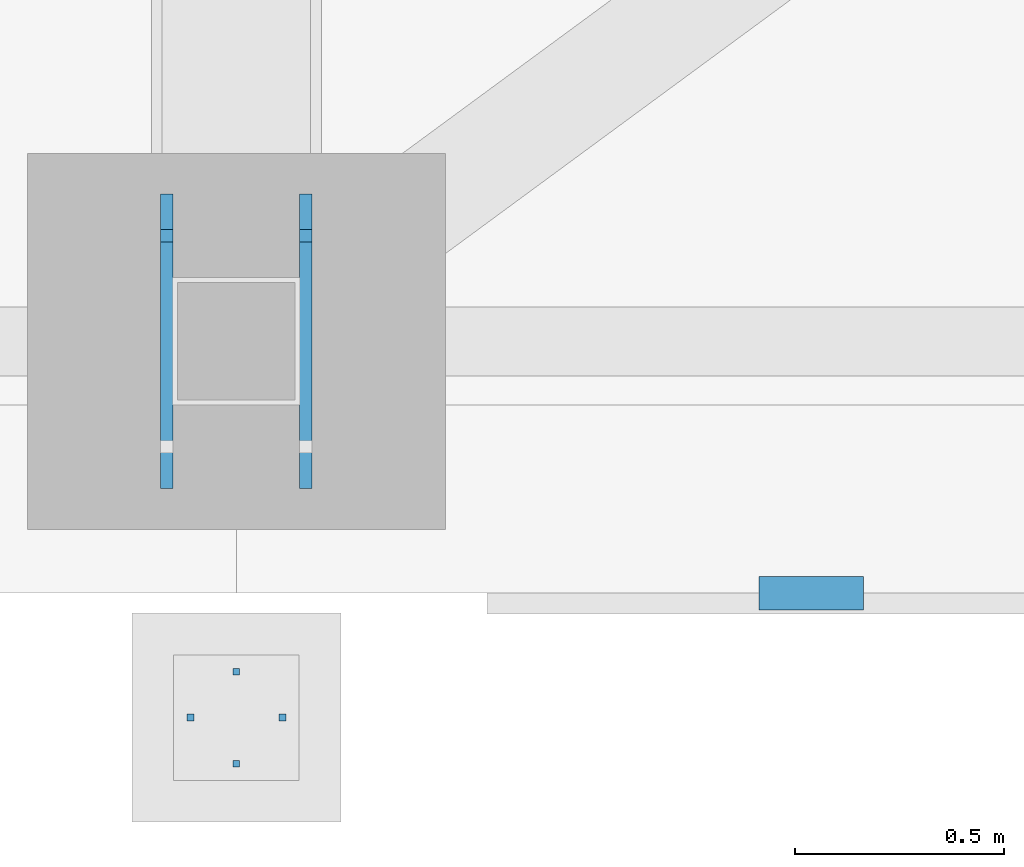
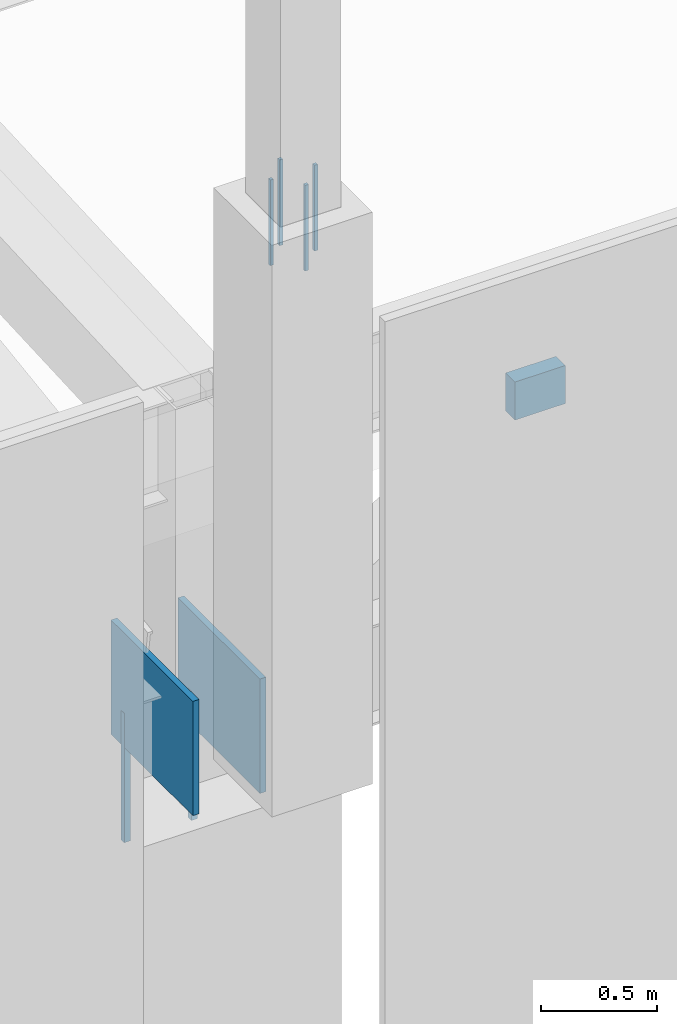
# One storey, part 133 of 278: 6 mechanical fasteners, 3 discrete accessories.
"""IFC4 building model written with IfcOpenShell, lengths in metres."""

from ifc_helpers import new_model, si_unit, direction, frame, origin, origin_2d, place, context, subcontext, project, spatial, rectangle, extrude, material, layer, layer_set, type_object, element, save


model = new_model("IFC4")

# Units and contexts
model_context = context("Model", 3, precision=1e-05, world=origin(), true_north=direction((0.0, 1.0)))
body_context = subcontext(model_context, "Body", "Model", "MODEL_VIEW")
ifc_project = project(units=[si_unit("LENGTHUNIT", "METRE"), si_unit("AREAUNIT", "SQUARE_METRE"), si_unit("VOLUMEUNIT", "CUBIC_METRE"), si_unit("PLANEANGLEUNIT", "RADIAN"), si_unit("MASSUNIT", "GRAM", prefix="KILO")], contexts=[model_context])

# Site, building, storey
site_placement = place(None, origin())
site = spatial("IfcSite", under=ifc_project, at=site_placement, CompositionType="ELEMENT")
building_placement = place(site_placement, origin())
building = spatial("IfcBuilding", under=site, at=building_placement, Name="Ogive Plaza Stadium", CompositionType="ELEMENT")
storey_placement = place(building_placement, frame((0.0, 0.0, 29.0)))
storey = spatial("IfcBuildingStorey", under=building, at=storey_placement, Name="Roof", CompositionType="ELEMENT", Elevation=29.0)

# Mechanical fasteners
ifc_material_1 = material(Name="Steel ASTM A992 Grade 50", Category="steel")
mechanical_fastener_type_1 = type_object("IfcMechanicalFastenerType", Name="Anchor bolt M30 x 600", PredefinedType="ANCHORBOLT", material=ifc_material_1)
for number, where, z_axis, x_axis, name in (
    (1, (-6.633544921875, -102.24755859375, 3.0), (0.0, 0.0, 1.0), (0.0, -1.0, 0.0), "ANCHOR BOLT 15 BF 1.2"),
    (2, (-6.96630859375, -102.24755859375, 3.0), (0.0, 0.0, 1.0), (0.0, -1.0, 0.0), "ANCHOR BOLT 15 BF 2.2"),
):
    element("IfcMechanicalFastener", number, at=place(storey_placement, frame(where, z_axis=z_axis, x_axis=x_axis)), inside=storey, type_object=mechanical_fastener_type_1, Name=name, PredefinedType="ANCHORBOLT", context=body_context, shape_type="SweptSolid", body=[
        extrude(rectangle(XDim=0.030029296875, YDim=0.030029296875, at=origin_2d()), origin(), (0.0, 0.0, 1.0), 0.679931640625),
    ])
ifc_material_2 = material(Name="Steel ASTM A992 Grade 50", Category="steel")
mechanical_fastener_type_2 = type_object("IfcMechanicalFastenerType", Name="Spire anchor bolt M16 x 450", PredefinedType="ANCHORBOLT", material=ifc_material_2)
for number, where, z_axis, x_axis, name in (
    (3, (-6.800048828125, -103.510009765625, 6.7001953125), (0.0, 0.0, 1.0), (0.0, -1.0, 0.0), "SPIRE ANCHOR BOLT 15 1"),
    (4, (-6.800048828125, -103.2900390625, 6.7001953125), (0.0, 0.0, 1.0), (0.0, -1.0, 0.0), "SPIRE ANCHOR BOLT 15 2"),
    (5, (-6.68994140625, -103.39990234375, 6.7001953125), (0.0, 0.0, 1.0), (0.0, -1.0, 0.0), "SPIRE ANCHOR BOLT 15 3"),
    (6, (-6.909912109375, -103.39990234375, 6.7001953125), (0.0, 0.0, 1.0), (0.0, -1.0, 0.0), "SPIRE ANCHOR BOLT 15 4"),
):
    element("IfcMechanicalFastener", number, at=place(storey_placement, frame(where, z_axis=z_axis, x_axis=x_axis)), inside=storey, type_object=mechanical_fastener_type_2, Name=name, PredefinedType="ANCHORBOLT", context=body_context, shape_type="SweptSolid", body=[
        extrude(rectangle(XDim=0.01611328125, YDim=0.01611328125, at=origin_2d()), origin(), (0.0, 0.0, 1.0), 0.449951171875),
    ])

# Discrete accessories
ifc_material_3 = material(Name="Steel ASTM A572 Grade 50", Category="steel")
ifc_layer_1 = layer(ifc_material_3, 0.080078125)
ifc_layer_set_1 = layer_set([ifc_layer_1], Name="Steel ASTM A572 Grade 50")
discrete_accessory_type_1 = type_object("IfcDiscreteAccessoryType", Name="Tracery screen bracket 250x200", PredefinedType="BRACKET", material=ifc_layer_set_1)
discrete_accessory_placement = place(storey_placement, frame((-5.425048828125, -103.102294921875, 5.25), z_axis=(0.0, 0.0, 1.0), x_axis=(-1.0, 0.0, 0.0)))
element("IfcDiscreteAccessory", 7, at=discrete_accessory_placement, inside=storey, type_object=discrete_accessory_type_1, Name="TRACERY SCREEN BRACKET B14 8", PredefinedType="BRACKET", context=body_context, shape_type="SweptSolid", body=[
    extrude(rectangle(XDim=0.25, YDim=0.080078125, at=origin_2d()), origin(), (0.0, 0.0, 1.0), 0.199951171875),
])
ifc_material_4 = material(Name="Steel ASTM A992 Grade 50", Category="steel")
ifc_layer_2 = layer(ifc_material_4, 0.030029296875)
ifc_layer_set_2 = layer_set([ifc_layer_2], Name="Steel ASTM A992 Grade 50")
discrete_accessory_type_2 = type_object("IfcDiscreteAccessoryType", Name="Truss back-stay foot cleat plate 30", PredefinedType="ANCHORPLATE", material=ifc_layer_set_2)
for number, where, z_axis, x_axis, name in (
    (8, (-6.633544921875, -102.5, 3.5), (0.0, 0.0, 1.0), (0.0, -1.0, 0.0), "TRUSS BACK-STAY FOOT CLEAT PLATE 15 1"),
    (9, (-6.96630859375, -102.5, 3.5), (0.0, 0.0, 1.0), (0.0, -1.0, 0.0), "TRUSS BACK-STAY FOOT CLEAT PLATE 15 2"),
):
    element("IfcDiscreteAccessory", number, at=place(storey_placement, frame(where, z_axis=z_axis, x_axis=x_axis)), inside=storey, type_object=discrete_accessory_type_2, Name=name, PredefinedType="ANCHORPLATE", context=body_context, shape_type="SweptSolid", body=[
        extrude(rectangle(XDim=0.704833984375, YDim=0.030029296875, at=origin_2d()), origin(), (0.0, 0.0, 1.0), 0.60009765625),
    ])

save(model, "model.ifc")
